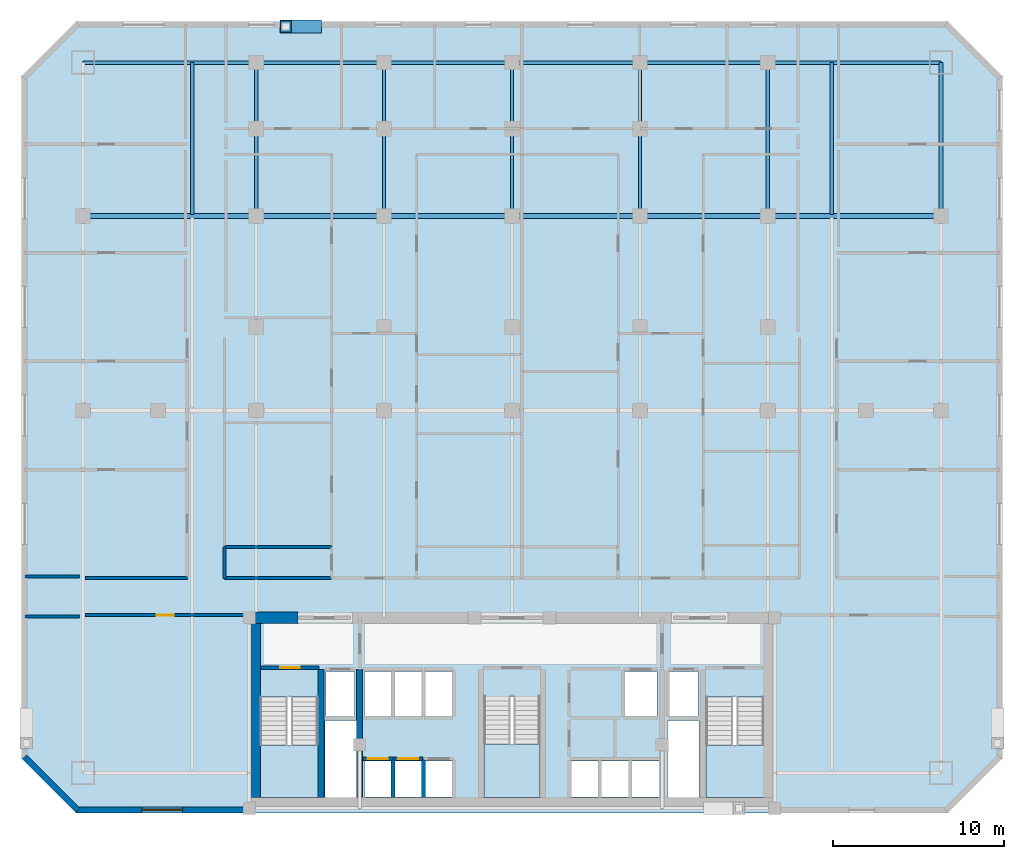
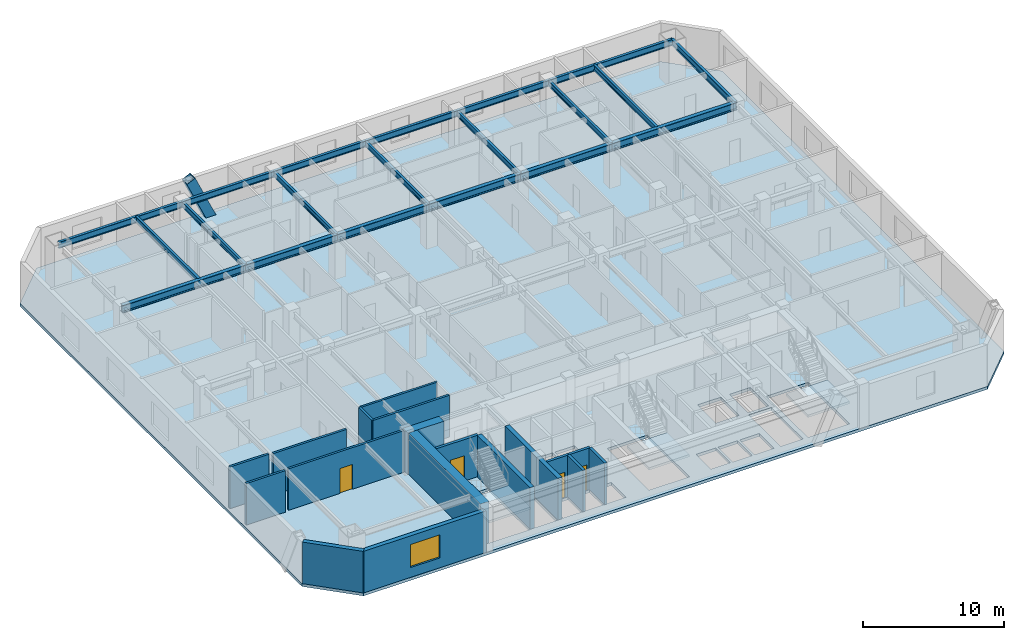
# One storey, part 2 of 9: 20 beams, 18 walls, 4 doors, 4 slabs, 1 member, 1 window, 5 openings, 3 elements without a shape of their own.
"""IFC4 building model written with IfcOpenShell, lengths in metres."""

from ifc_helpers import new_model, si_unit, direction, frame, frame_2d, origin, origin_2d, place, context, subcontext, project, spatial, polyline, rectangle, hollow_rectangle, i_section, outline, extrude, material, layer, layer_set, material_profile, profile_set, type_object, element, fill, aggregate, save


model = new_model("IFC4")

# Units and contexts
model_context = context("Model", 3, precision=1e-05, world=origin(), true_north=direction((0.0, 1.0)))
body_context = subcontext(model_context, "Body", "Model", "MODEL_VIEW")
ifc_project = project(units=[si_unit("LENGTHUNIT", "METRE"), si_unit("AREAUNIT", "SQUARE_METRE"), si_unit("VOLUMEUNIT", "CUBIC_METRE"), si_unit("PLANEANGLEUNIT", "RADIAN"), si_unit("MASSUNIT", "GRAM", prefix="KILO")], contexts=[model_context])

# Site, building, storey
site_placement = place(None, origin())
site = spatial("IfcSite", under=ifc_project, at=site_placement, CompositionType="ELEMENT")
building_placement = place(site_placement, origin())
building = spatial("IfcBuilding", under=site, at=building_placement, Name="Ventersveld Concourse Tower", CompositionType="ELEMENT")
storey_placement = place(building_placement, frame((0.0, 0.0, 84.89990234375)))
storey = spatial("IfcBuildingStorey", under=building, at=storey_placement, Name="L20", CompositionType="ELEMENT", Elevation=84.89990234375)

# Beams
ifc_material_1 = material(Name="Structural steel S355J2", Category="steel")
ifc_material_profile_1 = material_profile(ifc_material_1, i_section(OverallWidth=0.19140625, OverallDepth=0.4599609375, WebThickness=0.010009765625, FlangeThickness=0.01611328125, FilletRadius=0.01025390625, at=origin_2d()), Name="UB 457x191x82")
ifc_profile_set_1 = profile_set([ifc_material_profile_1], Name="Structural steel S355J2")
beam_type_1 = type_object("IfcBeamType", Name="BM-UB457H", PredefinedType="BEAM", material=ifc_profile_set_1)
beam_1_placement = place(storey_placement, frame((10.0, 35.094970703125, 3.3701171875), z_axis=(0.0, 1.0, 0.0), x_axis=(-1.0, 0.0, 0.0)))
element("IfcBeam", 1, at=beam_1_placement, inside=storey, type_object=beam_type_1, Name="L20 N-S Composite Floor Beam North X=10.00", PredefinedType="BEAM", context=body_context, shape_type="SweptSolid", body=[
    extrude(i_section(OverallWidth=0.19140625, OverallDepth=0.4599609375, WebThickness=0.010009765625, FlangeThickness=0.01611328125, FilletRadius=0.01025390625, at=origin_2d()), origin(), (0.0, 0.0, 1.0), 8.905029296875),
])
for number, where, z_axis, x_axis, name in (
    (2, (13.75, 35.0, 3.3701171875), (0.0, 1.0, 0.0), (-1.0, 0.0, 0.0), "L20 N-S Composite Floor Beam North X=13.75"),
    (3, (21.25, 35.0, 3.3701171875), (0.0, 1.0, 0.0), (-1.0, 0.0, 0.0), "L20 N-S Composite Floor Beam North X=21.25"),
    (4, (28.75, 35.0, 3.3701171875), (0.0, 1.0, 0.0), (-1.0, 0.0, 0.0), "L20 N-S Composite Floor Beam North X=28.75"),
    (5, (36.25, 35.0, 3.3701171875), (0.0, 1.0, 0.0), (-1.0, 0.0, 0.0), "L20 N-S Composite Floor Beam North X=36.25"),
    (6, (43.75, 35.0, 3.3701171875), (0.0, 1.0, 0.0), (-1.0, 0.0, 0.0), "L20 N-S Composite Floor Beam North X=43.75"),
):
    element("IfcBeam", number, at=place(storey_placement, frame(where, z_axis=z_axis, x_axis=x_axis)), inside=storey, type_object=beam_type_1, Name=name, PredefinedType="BEAM", context=body_context, shape_type="SweptSolid", body=[
        extrude(i_section(OverallWidth=0.19140625, OverallDepth=0.4599609375, WebThickness=0.010009765625, FlangeThickness=0.01611328125, FilletRadius=0.01025390625, at=origin_2d()), origin(), (0.0, 0.0, 1.0), 9.0),
    ])
beam_2_placement = place(storey_placement, frame((47.5, 35.094970703125, 3.3701171875), z_axis=(0.0, 1.0, 0.0), x_axis=(-1.0, 0.0, 0.0)))
element("IfcBeam", 7, at=beam_2_placement, inside=storey, type_object=beam_type_1, Name="L20 N-S Composite Floor Beam North X=47.50", PredefinedType="BEAM", context=body_context, shape_type="SweptSolid", body=[
    extrude(i_section(OverallWidth=0.19140625, OverallDepth=0.4599609375, WebThickness=0.010009765625, FlangeThickness=0.01611328125, FilletRadius=0.01025390625, at=origin_2d()), origin(), (0.0, 0.0, 1.0), 8.905029296875),
])
ifc_material_profile_2 = material_profile(ifc_material_1, i_section(OverallWidth=0.311279296875, OverallDepth=0.6357421875, WebThickness=0.018310546875, FlangeThickness=0.031494140625, FilletRadius=0.0166015625, at=origin_2d()), Name="UB 610x305x238")
ifc_profile_set_2 = profile_set([ifc_material_profile_2], Name="Structural steel S355J2")
beam_type_2 = type_object("IfcBeamType", Name="GRD-UB610H", PredefinedType="USERDEFINED", material=ifc_profile_set_2)
beam_3_placement = place(storey_placement, frame((3.60009765625, 35.0, 3.2822265625), z_axis=(1.0, 0.0, 0.0), x_axis=(0.0, 1.0, 0.0)))
element("IfcBeam", 8, at=beam_3_placement, inside=storey, type_object=beam_type_2, Name="L20 E-W Grid Girder Y=35.00 #1", ObjectType="GIRDER", PredefinedType="USERDEFINED", context=body_context, shape_type="SweptSolid", body=[
    extrude(i_section(OverallWidth=0.311279296875, OverallDepth=0.6357421875, WebThickness=0.018310546875, FlangeThickness=0.031494140625, FilletRadius=0.0166015625, at=origin_2d()), origin(), (0.0, 0.0, 1.0), 10.14990234375),
])
for number, where, z_axis, x_axis, name in (
    (9, (13.75, 35.0, 3.2822265625), (1.0, 0.0, 0.0), (0.0, 1.0, 0.0), "L20 E-W Grid Girder Y=35.00 #2"),
    (10, (21.25, 35.0, 3.2822265625), (1.0, 0.0, 0.0), (0.0, 1.0, 0.0), "L20 E-W Grid Girder Y=35.00 #3"),
    (11, (28.75, 35.0, 3.2822265625), (1.0, 0.0, 0.0), (0.0, 1.0, 0.0), "L20 E-W Grid Girder Y=35.00 #4"),
    (12, (36.25, 35.0, 3.2822265625), (1.0, 0.0, 0.0), (0.0, 1.0, 0.0), "L20 E-W Grid Girder Y=35.00 #5"),
):
    element("IfcBeam", number, at=place(storey_placement, frame(where, z_axis=z_axis, x_axis=x_axis)), inside=storey, type_object=beam_type_2, Name=name, ObjectType="GIRDER", PredefinedType="USERDEFINED", context=body_context, shape_type="SweptSolid", body=[
        extrude(i_section(OverallWidth=0.311279296875, OverallDepth=0.6357421875, WebThickness=0.018310546875, FlangeThickness=0.031494140625, FilletRadius=0.0166015625, at=origin_2d()), origin(), (0.0, 0.0, 1.0), 7.5),
    ])
beam_4_placement = place(storey_placement, frame((43.75, 35.0, 3.2822265625), z_axis=(1.0, 0.0, 0.0), x_axis=(0.0, 1.0, 0.0)))
element("IfcBeam", 13, at=beam_4_placement, inside=storey, type_object=beam_type_2, Name="L20 E-W Grid Girder Y=35.00 #6", ObjectType="GIRDER", PredefinedType="USERDEFINED", context=body_context, shape_type="SweptSolid", body=[
    extrude(i_section(OverallWidth=0.311279296875, OverallDepth=0.6357421875, WebThickness=0.018310546875, FlangeThickness=0.031494140625, FilletRadius=0.0166015625, at=origin_2d()), origin(), (0.0, 0.0, 1.0), 10.14990234375),
])

# Member
ifc_material_2 = material(Name="Structural steel S355ML", Category="steel")
ifc_material_profile_3 = material_profile(ifc_material_2, hollow_rectangle(XDim=0.75, YDim=0.75, WallThickness=0.044921875, at=origin_2d()), Name="BOX 750x750x45")
ifc_profile_set_3 = profile_set([ifc_material_profile_3], Name="Structural steel S355ML")
member_type = type_object("IfcMemberType", Name="MB-750x750", PredefinedType="BRACE", material=ifc_profile_set_3)
member_placement = place(storey_placement, frame((17.22900390625, 46.1201171875, -0.25), z_axis=(-0.411733807219, 0.0, 0.911304159978), x_axis=(0.0, -1.0, 0.0)))
element("IfcMember", 14, at=member_placement, inside=storey, type_object=member_type, Name="L20 Exterior Mega-Brace N (Module M04)", PredefinedType="BRACE", context=body_context, shape_type="SweptSolid", body=[
    extrude(hollow_rectangle(XDim=0.75, YDim=0.75, WallThickness=0.044921875, at=origin_2d()), origin(), (0.0, 0.0, 1.0), 4.224853515625),
])

# Beams
ifc_material_profile_4 = material_profile(ifc_material_1, i_section(OverallWidth=0.2119140625, OverallDepth=0.54443359375, WebThickness=0.0126953125, FlangeThickness=0.021240234375, FilletRadius=0.0126953125, at=origin_2d()), Name="UB 533x210x122")
ifc_profile_set_4 = profile_set([ifc_material_profile_4], Name="Structural steel S355J2")
beam_type_3 = type_object("IfcBeamType", Name="SPD-UB533", PredefinedType="SPANDREL", material=ifc_profile_set_4)
beam_5_placement = place(storey_placement, frame((53.89990234375, 35.0, 3.327880859375), z_axis=(0.0, 1.0, 0.0), x_axis=(-1.0, 0.0, 0.0)))
element("IfcBeam", 15, at=beam_5_placement, inside=storey, type_object=beam_type_3, Name="L20 East Spandrel Beam N", PredefinedType="SPANDREL", context=body_context, shape_type="SweptSolid", body=[
    extrude(i_section(OverallWidth=0.2119140625, OverallDepth=0.54443359375, WebThickness=0.0126953125, FlangeThickness=0.021240234375, FilletRadius=0.0126953125, at=origin_2d()), origin(), (0.0, 0.0, 1.0), 9.0),
])
beam_6_placement = place(storey_placement, frame((3.60009765625, 44.0, 3.327880859375), z_axis=(1.0, 0.0, 0.0), x_axis=(0.0, 1.0, 0.0)))
element("IfcBeam", 16, at=beam_6_placement, inside=storey, type_object=beam_type_3, Name="L20 North Spandrel Girder Y=44.00 #1", PredefinedType="SPANDREL", context=body_context, shape_type="SweptSolid", body=[
    extrude(i_section(OverallWidth=0.2119140625, OverallDepth=0.54443359375, WebThickness=0.0126953125, FlangeThickness=0.021240234375, FilletRadius=0.0126953125, at=origin_2d()), origin(), (0.0, 0.0, 1.0), 10.14990234375),
])
for number, where, z_axis, x_axis, name in (
    (17, (13.75, 44.0, 3.327880859375), (1.0, 0.0, 0.0), (0.0, 1.0, 0.0), "L20 North Spandrel Girder Y=44.00 #2"),
    (18, (21.25, 44.0, 3.327880859375), (1.0, 0.0, 0.0), (0.0, 1.0, 0.0), "L20 North Spandrel Girder Y=44.00 #3"),
    (19, (28.75, 44.0, 3.327880859375), (1.0, 0.0, 0.0), (0.0, 1.0, 0.0), "L20 North Spandrel Girder Y=44.00 #4"),
    (20, (36.25, 44.0, 3.327880859375), (1.0, 0.0, 0.0), (0.0, 1.0, 0.0), "L20 North Spandrel Girder Y=44.00 #5"),
):
    element("IfcBeam", number, at=place(storey_placement, frame(where, z_axis=z_axis, x_axis=x_axis)), inside=storey, type_object=beam_type_3, Name=name, PredefinedType="SPANDREL", context=body_context, shape_type="SweptSolid", body=[
        extrude(i_section(OverallWidth=0.2119140625, OverallDepth=0.54443359375, WebThickness=0.0126953125, FlangeThickness=0.021240234375, FilletRadius=0.0126953125, at=origin_2d()), origin(), (0.0, 0.0, 1.0), 7.5),
    ])
beam_7_placement = place(storey_placement, frame((43.75, 44.0, 3.327880859375), z_axis=(1.0, 0.0, 0.0), x_axis=(0.0, 1.0, 0.0)))
element("IfcBeam", 21, at=beam_7_placement, inside=storey, type_object=beam_type_3, Name="L20 North Spandrel Girder Y=44.00 #6", PredefinedType="SPANDREL", context=body_context, shape_type="SweptSolid", body=[
    extrude(i_section(OverallWidth=0.2119140625, OverallDepth=0.54443359375, WebThickness=0.0126953125, FlangeThickness=0.021240234375, FilletRadius=0.0126953125, at=origin_2d()), origin(), (0.0, 0.0, 1.0), 10.14990234375),
])

# Slab
ifc_material_3 = material(Name="Concrete C50/60", Category="concrete")
ifc_layer_1 = layer(ifc_material_3, 0.25)
ifc_layer_set_1 = layer_set([ifc_layer_1], Name="Concrete C50/60")
slab_type_1 = type_object("IfcSlabType", Name="SL-FLR-250", PredefinedType="FLOOR", material=ifc_layer_set_1)
slab_1_placement = place(storey_placement, frame((0.0, 0.0, -0.25)))
element("IfcSlab", 22, at=slab_1_placement, inside=storey, type_object=slab_type_1, Name="L20 Composite Floor Slab", PredefinedType="FLOOR", context=body_context, shape_type="SweptSolid", body=[
    extrude(outline(polyline([(3.199951171875, 0.0), (54.300048828125, 0.0), (57.5, 3.199951171875), (57.5, 43.199951171875), (54.300048828125, 46.39990234375), (3.199951171875, 46.39990234375), (0.0, 43.199951171875), (0.0, 3.199951171875), (3.199951171875, 0.0)]), holes=[polyline([(13.97998046875, 6.794921875), (13.97998046875, 0.89990234375), (17.3798828125, 0.89990234375), (17.3798828125, 6.794921875), (13.97998046875, 6.794921875)]), polyline([(40.1201171875, 6.794921875), (40.1201171875, 0.89990234375), (43.52001953125, 0.89990234375), (43.52001953125, 6.794921875), (40.1201171875, 6.794921875)]), polyline([(27.10009765625, 6.844970703125), (27.10009765625, 0.89990234375), (30.39990234375, 0.89990234375), (30.39990234375, 6.844970703125), (27.10009765625, 6.844970703125)]), polyline([(17.85009765625, 5.699951171875), (19.530029296875, 5.699951171875), (19.530029296875, 8.300048828125), (17.85009765625, 8.300048828125), (17.85009765625, 5.699951171875)]), polyline([(37.969970703125, 5.699951171875), (39.64990234375, 5.699951171875), (39.64990234375, 8.300048828125), (37.969970703125, 8.300048828125), (37.969970703125, 5.699951171875)]), polyline([(35.35009765625, 5.699951171875), (37.25, 5.699951171875), (37.25, 8.300048828125), (35.35009765625, 8.300048828125), (35.35009765625, 5.699951171875)]), polyline([(20.090087890625, 0.949951171875), (21.68994140625, 0.949951171875), (21.68994140625, 3.050048828125), (20.090087890625, 3.050048828125), (20.090087890625, 0.949951171875)]), polyline([(21.8701171875, 0.949951171875), (23.469970703125, 0.949951171875), (23.469970703125, 3.050048828125), (21.8701171875, 3.050048828125), (21.8701171875, 0.949951171875)]), polyline([(23.64990234375, 0.949951171875), (25.25, 0.949951171875), (25.25, 3.050048828125), (23.64990234375, 3.050048828125), (23.64990234375, 0.949951171875)]), polyline([(32.2099609375, 0.949951171875), (33.81005859375, 0.949951171875), (33.81005859375, 3.050048828125), (32.2099609375, 3.050048828125), (32.2099609375, 0.949951171875)]), polyline([(33.989990234375, 0.949951171875), (35.590087890625, 0.949951171875), (35.590087890625, 3.050048828125), (33.989990234375, 3.050048828125), (33.989990234375, 0.949951171875)]), polyline([(35.77001953125, 0.949951171875), (37.3701171875, 0.949951171875), (37.3701171875, 3.050048828125), (35.77001953125, 3.050048828125), (35.77001953125, 0.949951171875)]), polyline([(20.090087890625, 5.699951171875), (21.68994140625, 5.699951171875), (21.68994140625, 8.300048828125), (20.090087890625, 8.300048828125), (20.090087890625, 5.699951171875)]), polyline([(21.8701171875, 5.699951171875), (23.469970703125, 5.699951171875), (23.469970703125, 8.300048828125), (21.8701171875, 8.300048828125), (21.8701171875, 5.699951171875)]), polyline([(23.64990234375, 5.699951171875), (25.25, 5.699951171875), (25.25, 8.300048828125), (23.64990234375, 8.300048828125), (23.64990234375, 5.699951171875)]), polyline([(17.780029296875, 0.919921875), (19.6201171875, 0.919921875), (19.6201171875, 5.419921875), (17.780029296875, 5.419921875), (17.780029296875, 0.919921875)]), polyline([(37.8798828125, 0.919921875), (39.719970703125, 0.919921875), (39.719970703125, 5.419921875), (37.8798828125, 5.419921875), (37.8798828125, 0.919921875)])]), origin(), (0.0, 0.0, 1.0), 0.25),
])

# Stair, slab
stair_type_1 = type_object("IfcStairType", Name="ST-DOG-160", PredefinedType="HALF_TURN_STAIR", material=ifc_material_3)
stair_1_placement = place(storey_placement, origin())
stair_1 = element("IfcStair", 23, at=stair_1_placement, inside=storey, type_object=stair_type_1, Name="L20 Protected Tower Escape Stair ST-01", PredefinedType="HALF_TURN_STAIR")
ifc_layer_2 = layer(ifc_material_3, 0.199951171875)
ifc_layer_set_2 = layer_set([ifc_layer_2], Name="Concrete C50/60")
slab_type_2 = type_object("IfcSlabType", Name="SL-LND-200", PredefinedType="LANDING", material=ifc_layer_set_2)
slab_2_placement = place(storey_placement, frame((0.0, 0.0, 1.72509765625)))
slab_2 = element("IfcSlab", 24, at=slab_2_placement, type_object=slab_type_2, Name="ST-01 landing 1", PredefinedType="LANDING", context=body_context, shape_type="SweptSolid", body=[
    extrude(outline(polyline([(13.97998046875, 4.0), (13.97998046875, 0.89990234375), (17.3798828125, 0.89990234375), (17.3798828125, 4.0), (13.97998046875, 4.0)])), origin(), (0.0, 0.0, 1.0), 0.199951171875),
])
aggregate(stair_1, [slab_2])

stair_2_placement = place(storey_placement, origin())
stair_2 = element("IfcStair", 25, at=stair_2_placement, inside=storey, type_object=stair_type_1, Name="L20 Protected Tower Escape Stair ST-02", PredefinedType="HALF_TURN_STAIR")
slab_3_placement = place(storey_placement, frame((0.0, 0.0, 1.72509765625)))
slab_3 = element("IfcSlab", 26, at=slab_3_placement, type_object=slab_type_2, Name="ST-02 landing 1", PredefinedType="LANDING", context=body_context, shape_type="SweptSolid", body=[
    extrude(outline(polyline([(40.1201171875, 4.0), (40.1201171875, 0.89990234375), (43.52001953125, 0.89990234375), (43.52001953125, 4.0), (40.1201171875, 4.0)])), origin(), (0.0, 0.0, 1.0), 0.199951171875),
])
aggregate(stair_2, [slab_3])

stair_type_2 = type_object("IfcStairType", Name="ST-DOG-155", PredefinedType="HALF_TURN_STAIR", material=ifc_material_3)
stair_3_placement = place(storey_placement, origin())
stair_3 = element("IfcStair", 27, at=stair_3_placement, inside=storey, type_object=stair_type_2, Name="L20 Protected Central Core Escape Stair ST-03", PredefinedType="HALF_TURN_STAIR")
slab_4_placement = place(storey_placement, frame((0.0, 0.0, 1.72509765625)))
slab_4 = element("IfcSlab", 28, at=slab_4_placement, type_object=slab_type_2, Name="ST-03 landing 1", PredefinedType="LANDING", context=body_context, shape_type="SweptSolid", body=[
    extrude(outline(polyline([(27.10009765625, 4.050048828125), (27.10009765625, 0.89990234375), (30.39990234375, 0.89990234375), (30.39990234375, 4.050048828125), (27.10009765625, 4.050048828125)])), origin(), (0.0, 0.0, 1.0), 0.199951171875),
])
aggregate(stair_3, [slab_4])

# Walls
ifc_material_4 = material(Name="Concrete C60/75", Category="concrete")
ifc_layer_3 = layer(ifc_material_4, 0.35009765625)
ifc_layer_set_3 = layer_set([ifc_layer_3], Name="Concrete C60/75")
wall_type_1 = type_object("IfcWallType", Name="WL-CORE-350L", PredefinedType="SHEAR", material=ifc_layer_set_3)
for number, where, z_axis, x_axis, name in (
    (29, (17.5400390625, 0.919921875, 0.0), (0.0, 0.0, 1.0), (0.0, 1.0, 0.0), "L20 Core Internal Shear Web W-ST1-E"),
    (30, (19.820068359375, 0.919921875, 0.0), (0.0, 0.0, 1.0), (0.0, 1.0, 0.0), "L20 Core Internal Shear Web W-FF1-E"),
):
    element("IfcWall", number, at=place(storey_placement, frame(where, z_axis=z_axis, x_axis=x_axis)), inside=storey, type_object=wall_type_1, Name=name, PredefinedType="SHEAR", context=body_context, shape_type="SweptSolid", body=[
        extrude(rectangle(XDim=7.5, YDim=0.35009765625, at=frame_2d((3.75, 0.0))), origin(), (0.0, 0.0, 1.0), 3.60009765625),
    ])
ifc_layer_4 = layer(ifc_material_4, 0.699951171875)
ifc_layer_set_4 = layer_set([ifc_layer_4], Name="Concrete C60/75")
wall_type_2 = type_object("IfcWallType", Name="WL-CORE-700", PredefinedType="SHEAR", material=ifc_layer_set_4)
wall_1_placement = place(storey_placement, frame((13.64990234375, 0.919921875, 0.0), z_axis=(0.0, 0.0, 1.0), x_axis=(0.0, 1.0, 0.0)))
element("IfcWall", 31, at=wall_1_placement, inside=storey, type_object=wall_type_2, Name="L20 Rear Core West Shear Wall", PredefinedType="SHEAR", context=body_context, shape_type="SweptSolid", body=[
    extrude(rectangle(XDim=10.530029296875, YDim=0.699951171875, at=frame_2d((5.26513671875, 0.0))), origin(), (0.0, 0.0, 1.0), 3.60009765625),
])
wall_2_placement = place(storey_placement, frame((13.25, 11.449951171875, 0.0), z_axis=(0.0, 0.0, 1.0), x_axis=(1.0, 0.0, 0.0)))
element("IfcWall", 32, at=wall_2_placement, inside=storey, type_object=wall_type_2, Name="L20 Rear Core North Shear Wall NW", PredefinedType="SHEAR", context=body_context, shape_type="SweptSolid", body=[
    extrude(rectangle(XDim=2.949951171875, YDim=0.699951171875, at=frame_2d((1.47509765625, 0.0))), origin(), (0.0, 0.0, 1.0), 3.60009765625),
])

# Wall, opening, door
ifc_material_5 = material(Name="Fire-rated autoclaved aerated masonry blockwork", Category="masonry")
ifc_layer_5 = layer(ifc_material_5, 0.179931640625)
ifc_layer_set_5 = layer_set([ifc_layer_5], Name="Fire-rated autoclaved aerated masonry blockwork")
wall_type_3 = type_object("IfcWallType", Name="WL-CORR-180", PredefinedType="PARTITIONING", material=ifc_layer_set_5)
wall_3_placement = place(storey_placement, frame((3.705078125, 11.60009765625, 0.0), z_axis=(0.0, 0.0, 1.0), x_axis=(1.0, 0.0, 0.0)))
wall_3 = element("IfcWall", 33, at=wall_3_placement, inside=storey, type_object=wall_type_3, Name="L20 Interior Partition SP-L20-SW-GAL-SP-L20-COR", PredefinedType="PARTITIONING", context=body_context, shape_type="SweptSolid", body=[
    extrude(rectangle(XDim=9.43994140625, YDim=0.179931640625, at=frame_2d((4.719970703125, 0.0))), origin(), (0.0, 0.0, 1.0), 3.60009765625),
])
opening_1_placement = place(wall_3_placement, frame((4.219970703125, 0.0, 0.0)))
opening_1 = element("IfcOpeningElement", 34, at=opening_1_placement, cuts=wall_3, Name="Opening FD3", PredefinedType="OPENING", context=body_context, shape_type="SweptSolid", body=[
    extrude(rectangle(XDim=1.0, YDim=2.14990234375, at=frame_2d((0.5, 1.074951171875))), frame((0.0, 0.10009765625, 0.0), z_axis=(0.0, -1.0, 0.0), x_axis=(1.0, 0.0, 0.0)), (0.0, 0.0, 1.0), 0.199951171875),
])
ifc_material_6 = material(Name="Solid-core hardwood veneer timber", Category="wood")
door_type_1 = type_object("IfcDoorType", Name="DR-FLAT-100", OperationType="NOTDEFINED", PredefinedType="DOOR", material=ifc_material_6)
door_1_placement = place(opening_1_placement, origin())
door_1 = element("IfcDoor", 35, at=door_1_placement, inside=storey, type_object=door_type_1, Name="L20 Interior Door SP-L20-SW-GAL to SP-L20-COR (D-L20-0953)", OperationType="SINGLE_SWING_LEFT", OverallHeight=2.14990234375, OverallWidth=1.0, PredefinedType="DOOR", context=body_context, shape_type="SweptSolid", body=[
    extrude(rectangle(XDim=1.0, YDim=2.14990234375, at=frame_2d((0.5, 1.074951171875))), frame((0.0, 0.02490234375, 0.0), z_axis=(0.0, -1.0, 0.0), x_axis=(1.0, 0.0, 0.0)), (0.0, 0.0, 1.0), 0.050048828125),
])
fill(opening_1, door_1)

# Walls
wall_4_placement = place(storey_placement, frame((3.705078125, 13.77001953125, 0.0), z_axis=(0.0, 0.0, 1.0), x_axis=(1.0, 0.0, 0.0)))
element("IfcWall", 36, at=wall_4_placement, inside=storey, type_object=wall_type_3, Name="L20 Interior Partition SP-L20-COR-SP-L20-NWLNG1", PredefinedType="PARTITIONING", context=body_context, shape_type="SweptSolid", body=[
    extrude(rectangle(XDim=6.010009765625, YDim=0.179931640625, at=frame_2d((3.0048828125, 0.0))), origin(), (0.0, 0.0, 1.0), 3.60009765625),
])
wall_5_placement = place(storey_placement, frame((11.885009765625, 13.77001953125, 0.0), z_axis=(0.0, 0.0, 1.0), x_axis=(1.0, 0.0, 0.0)))
element("IfcWall", 37, at=wall_5_placement, inside=storey, type_object=wall_type_3, Name="L20 Interior Partition SP-L20-COR-SP-L20-20N1-BATH", PredefinedType="PARTITIONING", context=body_context, shape_type="SweptSolid", body=[
    extrude(rectangle(XDim=6.263671875, YDim=0.179931640625, at=frame_2d((3.1318359375, 0.0))), origin(), (0.0, 0.0, 1.0), 3.60009765625),
])
wall_6_placement = place(storey_placement, frame((11.889892578125, 13.764892578125, 0.0), z_axis=(0.0, 0.0, 1.0), x_axis=(0.0, 1.0, 0.0)))
element("IfcWall", 38, at=wall_6_placement, inside=storey, type_object=wall_type_3, Name="L20 Interior Partition SP-L20-COR-SP-L20-20N1-BATH", PredefinedType="PARTITIONING", context=body_context, shape_type="SweptSolid", body=[
    extrude(rectangle(XDim=1.840087890625, YDim=0.179931640625, at=frame_2d((0.919921875, 0.0))), origin(), (0.0, 0.0, 1.0), 3.60009765625),
])
wall_7_placement = place(storey_placement, frame((0.2099609375, 11.52001953125, 0.0), z_axis=(0.0, 0.0, 1.0), x_axis=(1.0, 0.0, 0.0)))
element("IfcWall", 39, at=wall_7_placement, inside=storey, type_object=wall_type_3, Name="L20 Room Enclosure Wall SP-L20-SW-GAL", PredefinedType="PARTITIONING", context=body_context, shape_type="SweptSolid", body=[
    extrude(rectangle(XDim=3.177734375, YDim=0.179931640625, at=frame_2d((1.5888671875, 0.0))), origin(), (0.0, 0.0, 1.0), 3.60009765625),
])
wall_8_placement = place(storey_placement, frame((3.39013671875, 13.860107421875, 0.0), z_axis=(0.0, 0.0, 1.0), x_axis=(-1.0, 0.0, 0.0)))
element("IfcWall", 40, at=wall_8_placement, inside=storey, type_object=wall_type_3, Name="L20 Room Enclosure Wall SP-L20-NWLNG1", PredefinedType="PARTITIONING", context=body_context, shape_type="SweptSolid", body=[
    extrude(rectangle(XDim=3.18017578125, YDim=0.179931640625, at=frame_2d((1.590087890625, 0.0))), origin(), (0.0, 0.0, 1.0), 3.60009765625),
])
ifc_layer_6 = layer(ifc_material_5, 0.219970703125)
ifc_layer_set_6 = layer_set([ifc_layer_6], Name="Fire-rated autoclaved aerated masonry blockwork")
wall_type_4 = type_object("IfcWallType", Name="WL-HOIST-220", PredefinedType="SOLIDWALL", material=ifc_layer_set_6)
wall_9_placement = place(storey_placement, frame((21.780029296875, 0.89990234375, 0.0), z_axis=(0.0, 0.0, 1.0), x_axis=(0.0, 1.0, 0.0)))
element("IfcWall", 41, at=wall_9_placement, inside=storey, type_object=wall_type_4, Name="L20 Lift Hoistway Side Wall PL-01E", PredefinedType="SOLIDWALL", context=body_context, shape_type="SweptSolid", body=[
    extrude(rectangle(XDim=2.2001953125, YDim=0.219970703125, at=frame_2d((1.10009765625, 0.0))), origin(), (0.0, 0.0, 1.0), 3.60009765625),
])

# Wall, opening, door
wall_10_placement = place(storey_placement, frame((20.02001953125, 3.179931640625, 0.0), z_axis=(0.0, 0.0, 1.0), x_axis=(1.0, 0.0, 0.0)))
wall_10 = element("IfcWall", 42, at=wall_10_placement, inside=storey, type_object=wall_type_4, Name="L20 Lift Hoistway Front Wall PL-01", PredefinedType="SOLIDWALL", context=body_context, shape_type="SweptSolid", body=[
    extrude(rectangle(XDim=1.739990234375, YDim=0.219970703125, at=frame_2d((0.8701171875, 0.0))), origin(), (0.0, 0.0, 1.0), 3.60009765625),
])
opening_2_placement = place(wall_10_placement, frame((0.280029296875, 0.0, 0.0)))
opening_2 = element("IfcOpeningElement", 43, at=opening_2_placement, cuts=wall_10, Name="Opening LD2", PredefinedType="OPENING", context=body_context, shape_type="SweptSolid", body=[
    extrude(rectangle(XDim=1.179931640625, YDim=2.199951171875, at=frame_2d((0.58984375, 1.10009765625))), frame((0.0, 0.1201171875, 0.0), z_axis=(0.0, -1.0, 0.0), x_axis=(1.0, 0.0, 0.0)), (0.0, 0.0, 1.0), 0.239990234375),
])
ifc_material_7 = material(Name="Brushed stainless steel 316", Category="steel")
door_type_2 = type_object("IfcDoorType", Name="LD-PAX-118", OperationType="SLIDING_TO_LEFT", PredefinedType="DOOR", material=ifc_material_7)
door_2_placement = place(opening_2_placement, origin())
door_2 = element("IfcDoor", 44, at=door_2_placement, inside=storey, type_object=door_type_2, Name="L20 Lift landing door PL-01 (LD-L20-PL-01)", OperationType="SLIDING_TO_RIGHT", OverallHeight=2.199951171875, OverallWidth=1.179931640625, PredefinedType="DOOR", context=body_context, shape_type="SweptSolid", body=[
    extrude(rectangle(XDim=1.179931640625, YDim=2.199951171875, at=frame_2d((0.58984375, 1.10009765625))), frame((0.0, 0.02490234375, 0.0), z_axis=(0.0, -1.0, 0.0), x_axis=(1.0, 0.0, 0.0)), (0.0, 0.0, 1.0), 0.050048828125),
])
fill(opening_2, door_2)

# Wall
wall_11_placement = place(storey_placement, frame((23.56005859375, 0.89990234375, 0.0), z_axis=(0.0, 0.0, 1.0), x_axis=(0.0, 1.0, 0.0)))
element("IfcWall", 45, at=wall_11_placement, inside=storey, type_object=wall_type_4, Name="L20 Lift Hoistway Side Wall PL-02E", PredefinedType="SOLIDWALL", context=body_context, shape_type="SweptSolid", body=[
    extrude(rectangle(XDim=2.2001953125, YDim=0.219970703125, at=frame_2d((1.10009765625, 0.0))), origin(), (0.0, 0.0, 1.0), 3.60009765625),
])

# Wall, opening, door
wall_12_placement = place(storey_placement, frame((21.800048828125, 3.179931640625, 0.0), z_axis=(0.0, 0.0, 1.0), x_axis=(1.0, 0.0, 0.0)))
wall_12 = element("IfcWall", 46, at=wall_12_placement, inside=storey, type_object=wall_type_4, Name="L20 Lift Hoistway Front Wall PL-02", PredefinedType="SOLIDWALL", context=body_context, shape_type="SweptSolid", body=[
    extrude(rectangle(XDim=1.739990234375, YDim=0.219970703125, at=frame_2d((0.8701171875, 0.0))), origin(), (0.0, 0.0, 1.0), 3.60009765625),
])
opening_3_placement = place(wall_12_placement, frame((0.280029296875, 0.0, 0.0)))
opening_3 = element("IfcOpeningElement", 47, at=opening_3_placement, cuts=wall_12, Name="Opening LD2", PredefinedType="OPENING", context=body_context, shape_type="SweptSolid", body=[
    extrude(rectangle(XDim=1.179931640625, YDim=2.199951171875, at=frame_2d((0.58984375, 1.10009765625))), frame((0.0, 0.1201171875, 0.0), z_axis=(0.0, -1.0, 0.0), x_axis=(1.0, 0.0, 0.0)), (0.0, 0.0, 1.0), 0.239990234375),
])
door_3_placement = place(opening_3_placement, origin())
door_3 = element("IfcDoor", 48, at=door_3_placement, inside=storey, type_object=door_type_2, Name="L20 Lift landing door PL-02 (LD-L20-PL-02)", OperationType="SLIDING_TO_LEFT", OverallHeight=2.199951171875, OverallWidth=1.179931640625, PredefinedType="DOOR", context=body_context, shape_type="SweptSolid", body=[
    extrude(rectangle(XDim=1.179931640625, YDim=2.199951171875, at=frame_2d((0.58984375, 1.10009765625))), frame((0.0, 0.02490234375, 0.0), z_axis=(0.0, -1.0, 0.0), x_axis=(1.0, 0.0, 0.0)), (0.0, 0.0, 1.0), 0.050048828125),
])
fill(opening_3, door_3)

wall_13_placement = place(storey_placement, frame((14.0400390625, 8.52001953125, 0.0), z_axis=(0.0, 0.0, 1.0), x_axis=(1.0, 0.0, 0.0)))
wall_13 = element("IfcWall", 49, at=wall_13_placement, inside=storey, type_object=wall_type_4, Name="L20 Escape Stair ST01 Fire Wall", PredefinedType="SOLIDWALL", context=body_context, shape_type="SweptSolid", body=[
    extrude(rectangle(XDim=3.39990234375, YDim=0.219970703125, at=frame_2d((1.699951171875, 0.0))), origin(), (0.0, 0.0, 1.0), 3.60009765625),
])
opening_4_placement = place(wall_13_placement, frame((1.125, 0.0, 0.0)))
opening_4 = element("IfcOpeningElement", 50, at=opening_4_placement, cuts=wall_13, Name="Opening FD1", PredefinedType="OPENING", context=body_context, shape_type="SweptSolid", body=[
    extrude(rectangle(XDim=1.14990234375, YDim=2.199951171875, at=frame_2d((0.574951171875, 1.10009765625))), frame((0.0, 0.1201171875, 0.0), z_axis=(0.0, -1.0, 0.0), x_axis=(1.0, 0.0, 0.0)), (0.0, 0.0, 1.0), 0.239990234375),
])
ifc_material_8 = material(Name="Galvanised painted steel", Category="steel")
door_type_3 = type_object("IfcDoorType", Name="DR-STAIR-115", OperationType="NOTDEFINED", PredefinedType="DOOR", material=ifc_material_8)
door_4_placement = place(opening_4_placement, origin())
door_4 = element("IfcDoor", 51, at=door_4_placement, inside=storey, type_object=door_type_3, Name="L20 Escape Stair Door ST01 (SD-L20-0943)", OperationType="SINGLE_SWING_LEFT", OverallHeight=2.199951171875, OverallWidth=1.14990234375, PredefinedType="DOOR", context=body_context, shape_type="SweptSolid", body=[
    extrude(rectangle(XDim=1.14990234375, YDim=2.199951171875, at=frame_2d((0.574951171875, 1.10009765625))), frame((0.0, 0.02490234375, 0.0), z_axis=(0.0, -1.0, 0.0), x_axis=(1.0, 0.0, 0.0)), (0.0, 0.0, 1.0), 0.050048828125),
])
fill(opening_4, door_4)

# Wall, opening, window
ifc_material_9 = material(Name="Precast concrete C45/55", Category="concrete")
ifc_layer_7 = layer(ifc_material_9, 0.35009765625)
ifc_layer_set_7 = layer_set([ifc_layer_7], Name="Precast concrete C45/55")
wall_type_5 = type_object("IfcWallType", Name="WL-PREC-350", PredefinedType="SOLIDWALL", material=ifc_layer_set_7)
wall_14_placement = place(storey_placement, frame((3.239990234375, 0.179931640625, 0.0), z_axis=(0.0, 0.0, 1.0), x_axis=(1.0, 0.0, 0.0)))
wall_14 = element("IfcWall", 52, at=wall_14_placement, inside=storey, type_object=wall_type_5, Name="L20 South-West Flank Precast Wall", PredefinedType="SOLIDWALL", context=body_context, shape_type="SweptSolid", body=[
    extrude(rectangle(XDim=10.010009765625, YDim=0.35009765625, at=frame_2d((5.0048828125, 0.0))), origin(), (0.0, 0.0, 1.0), 3.60009765625),
])
opening_5_placement = place(wall_14_placement, frame((3.804931640625, 0.0, 0.85009765625)))
opening_5 = element("IfcOpeningElement", 53, at=opening_5_placement, cuts=wall_14, Name="Opening W5", PredefinedType="OPENING", context=body_context, shape_type="SweptSolid", body=[
    extrude(rectangle(XDim=2.39990234375, YDim=2.0, at=frame_2d((1.199951171875, 1.0))), frame((0.0, 0.18505859375, 0.0), z_axis=(0.0, -1.0, 0.0), x_axis=(1.0, 0.0, 0.0)), (0.0, 0.0, 1.0), 0.3701171875),
])
ifc_material_10 = material(Name="Tempered acoustic Low-E IGU", Category="glass")
window_type = type_object("IfcWindowType", Name="WIN-240x210", PartitioningType="SINGLE_PANEL", PredefinedType="WINDOW", material=ifc_material_10)
window_placement = place(opening_5_placement, origin())
window = element("IfcWindow", 54, at=window_placement, inside=storey, type_object=window_type, Name="L20 Punched Low-E Window W-0206", OverallHeight=2.0, OverallWidth=2.39990234375, PartitioningType="SINGLE_PANEL", PredefinedType="WINDOW", context=body_context, shape_type="SweptSolid", body=[
    extrude(rectangle(XDim=2.39990234375, YDim=2.0, at=frame_2d((1.199951171875, 1.0))), frame((0.0, 0.030029296875, 0.0), z_axis=(0.0, -1.0, 0.0), x_axis=(1.0, 0.0, 0.0)), (0.0, 0.0, 1.0), 0.06005859375),
])
fill(opening_5, window)

# Walls
wall_15_placement = place(storey_placement, frame((0.152099609375, 3.29541015625, 0.0), z_axis=(0.0, 0.0, 1.0), x_axis=(0.707106781187, -0.707106781187, 0.0)))
element("IfcWall", 55, at=wall_15_placement, inside=storey, type_object=wall_type_5, Name="L20 Highveld Precast Facade Wall E08", PredefinedType="SOLIDWALL", context=body_context, shape_type="SweptSolid", body=[
    extrude(rectangle(XDim=4.4453125, YDim=0.35009765625, at=frame_2d((2.22265625, 0.0))), origin(), (0.0, 0.0, 1.0), 3.60009765625),
])
ifc_material_11 = material(Name="Autoclaved aerated masonry blockwork", Category="masonry")
ifc_layer_8 = layer(ifc_material_11, 0.1650390625)
ifc_layer_set_8 = layer_set([ifc_layer_8], Name="Autoclaved aerated masonry blockwork")
wall_type_6 = type_object("IfcWallType", Name="WL-WET-165", PredefinedType="PLUMBINGWALL", material=ifc_layer_set_8)
wall_16_placement = place(storey_placement, frame((11.885009765625, 15.60009765625, 0.0), z_axis=(0.0, 0.0, 1.0), x_axis=(1.0, 0.0, 0.0)))
element("IfcWall", 56, at=wall_16_placement, inside=storey, type_object=wall_type_6, Name="L20 Interior Partition SP-L20-20N1-BATH-SP-L20-20N1-OFFL0", PredefinedType="PLUMBINGWALL", context=body_context, shape_type="SweptSolid", body=[
    extrude(rectangle(XDim=6.3037109375, YDim=0.1650390625, at=frame_2d((3.15185546875, 0.0))), origin(), (0.0, 0.0, 1.0), 3.60009765625),
])

save(model, "model.ifc")
